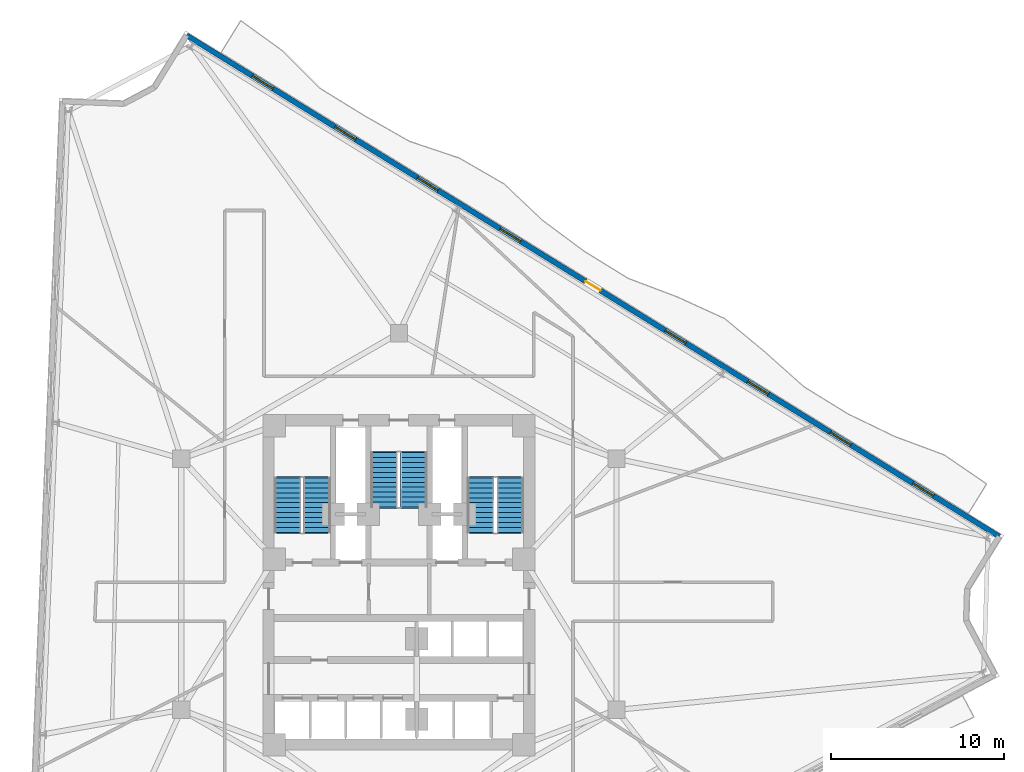
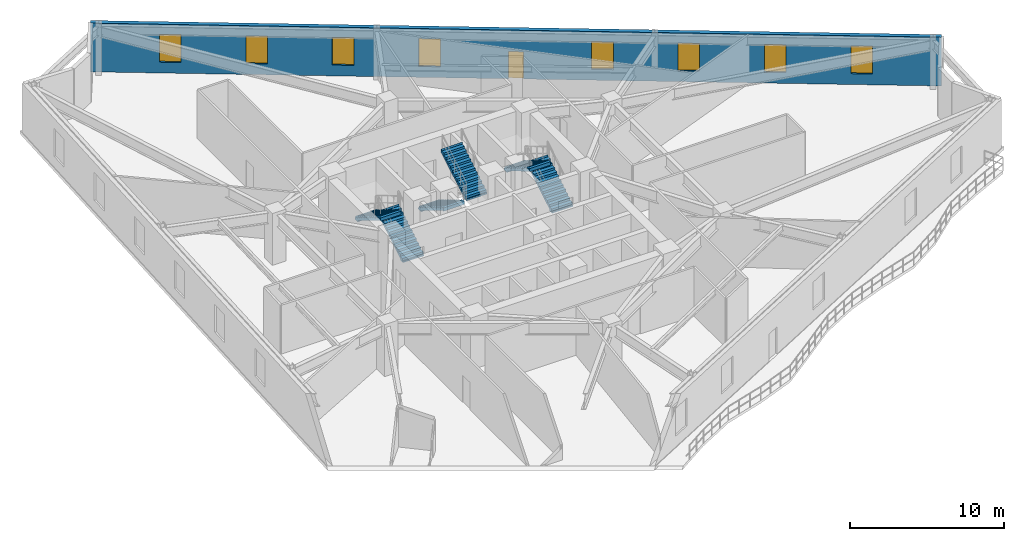
# One storey, part 8 of 11: 8 windows, 6 stair flights, 1 door, 1 wall, 9 openings, 3 elements without a shape of their own.
"""IFC4 building model written with IfcOpenShell, lengths in metres."""

from ifc_helpers import new_model, si_unit, direction, frame, frame_2d, origin, place, context, subcontext, project, spatial, polyline, rectangle, outline, extrude, material, layer, layer_set, type_object, element, fill, aggregate, save


model = new_model("IFC4")

# Units and contexts
model_context = context("Model", 3, precision=1e-05, world=origin(), true_north=direction((0.0, 1.0)))
body_context = subcontext(model_context, "Body", "Model", "MODEL_VIEW")
ifc_project = project(units=[si_unit("LENGTHUNIT", "METRE"), si_unit("AREAUNIT", "SQUARE_METRE"), si_unit("VOLUMEUNIT", "CUBIC_METRE"), si_unit("PLANEANGLEUNIT", "RADIAN"), si_unit("MASSUNIT", "GRAM", prefix="KILO")], contexts=[model_context])

# Site, building, storey
site_placement = place(None, origin())
site = spatial("IfcSite", under=ifc_project, at=site_placement, CompositionType="ELEMENT")
building_placement = place(site_placement, origin())
building = spatial("IfcBuilding", under=site, at=building_placement, Name="Apsidion Concourse Tower", CompositionType="ELEMENT")
storey_placement = place(building_placement, frame((0.0, 0.0, 186.0)))
storey = spatial("IfcBuildingStorey", under=building, at=storey_placement, Name="L43", CompositionType="ELEMENT", Elevation=186.0)

# Wall, openings, door, windows
ifc_material_1 = material(Name="Precast concrete C40/50", Category="concrete")
ifc_layer = layer(ifc_material_1, 0.300048828125)
ifc_layer_set = layer_set([ifc_layer], Name="Precast concrete C40/50")
wall_type = type_object("IfcWallType", Name="WL-EXT-300", PredefinedType="STANDARD", material=ifc_layer_set)
wall_placement = place(storey_placement, frame((-12.255126953125, 31.68896484375, 0.0), z_axis=(0.0, 0.0, 1.0), x_axis=(0.851166647402, -0.524895549944, 0.0)))
wall = element("IfcWall", 1, at=wall_placement, inside=storey, type_object=wall_type, Name="L43 Precast Stone Facade Wall 01", PredefinedType="STANDARD", context=body_context, shape_type="SweptSolid", body=[
    extrude(rectangle(XDim=55.110595703125, YDim=0.300048828125, at=frame_2d((27.55517578125, 0.0))), origin(), (0.0, 0.0, 1.0), 3.85009765625),
])
opening_1_placement = place(wall_placement, frame((27.055419921875, 0.0, 0.0)))
opening_1 = element("IfcOpeningElement", 2, at=opening_1_placement, cuts=wall, Name="Opening D-T1L", PredefinedType="OPENING", context=body_context, shape_type="SweptSolid", body=[
    extrude(rectangle(XDim=1.0, YDim=2.14990234375, at=frame_2d((0.5, 1.074951171875))), frame((0.0, 0.16015625, 0.0), z_axis=(0.0, -1.0, 0.0), x_axis=(1.0, 0.0, 0.0)), (0.0, 0.0, 1.0), 0.320068359375),
])
opening_2_placement = place(wall_placement, frame((4.455322265625, 0.0, 0.85009765625)))
opening_2 = element("IfcOpeningElement", 3, at=opening_2_placement, cuts=wall, Name="Opening WN-05", PredefinedType="OPENING", context=body_context, shape_type="SweptSolid", body=[
    extrude(rectangle(XDim=1.39990234375, YDim=2.199951171875, at=frame_2d((0.699951171875, 1.10009765625))), frame((0.0, 0.16015625, 0.0), z_axis=(0.0, -1.0, 0.0), x_axis=(1.0, 0.0, 0.0)), (0.0, 0.0, 1.0), 0.320068359375),
])
opening_3_placement = place(wall_placement, frame((10.055419921875, 0.0, 0.85009765625)))
opening_3 = element("IfcOpeningElement", 4, at=opening_3_placement, cuts=wall, Name="Opening WN-05", PredefinedType="OPENING", context=body_context, shape_type="SweptSolid", body=[
    extrude(rectangle(XDim=1.39990234375, YDim=2.199951171875, at=frame_2d((0.699951171875, 1.10009765625))), frame((0.0, 0.16015625, 0.0), z_axis=(0.0, -1.0, 0.0), x_axis=(1.0, 0.0, 0.0)), (0.0, 0.0, 1.0), 0.320068359375),
])
opening_4_placement = place(wall_placement, frame((15.6552734375, 0.0, 0.85009765625)))
opening_4 = element("IfcOpeningElement", 5, at=opening_4_placement, cuts=wall, Name="Opening WN-05", PredefinedType="OPENING", context=body_context, shape_type="SweptSolid", body=[
    extrude(rectangle(XDim=1.39990234375, YDim=2.199951171875, at=frame_2d((0.699951171875, 1.10009765625))), frame((0.0, 0.16015625, 0.0), z_axis=(0.0, -1.0, 0.0), x_axis=(1.0, 0.0, 0.0)), (0.0, 0.0, 1.0), 0.320068359375),
])
opening_5_placement = place(wall_placement, frame((21.25537109375, 0.0, 0.85009765625)))
opening_5 = element("IfcOpeningElement", 6, at=opening_5_placement, cuts=wall, Name="Opening WN-05", PredefinedType="OPENING", context=body_context, shape_type="SweptSolid", body=[
    extrude(rectangle(XDim=1.39990234375, YDim=2.199951171875, at=frame_2d((0.699951171875, 1.10009765625))), frame((0.0, 0.16015625, 0.0), z_axis=(0.0, -1.0, 0.0), x_axis=(1.0, 0.0, 0.0)), (0.0, 0.0, 1.0), 0.320068359375),
])
opening_6_placement = place(wall_placement, frame((32.455322265625, 0.0, 0.85009765625)))
opening_6 = element("IfcOpeningElement", 7, at=opening_6_placement, cuts=wall, Name="Opening WN-05", PredefinedType="OPENING", context=body_context, shape_type="SweptSolid", body=[
    extrude(rectangle(XDim=1.39990234375, YDim=2.199951171875, at=frame_2d((0.699951171875, 1.10009765625))), frame((0.0, 0.16015625, 0.0), z_axis=(0.0, -1.0, 0.0), x_axis=(1.0, 0.0, 0.0)), (0.0, 0.0, 1.0), 0.320068359375),
])
opening_7_placement = place(wall_placement, frame((38.055419921875, 0.0, 0.85009765625)))
opening_7 = element("IfcOpeningElement", 8, at=opening_7_placement, cuts=wall, Name="Opening WN-05", PredefinedType="OPENING", context=body_context, shape_type="SweptSolid", body=[
    extrude(rectangle(XDim=1.39990234375, YDim=2.199951171875, at=frame_2d((0.699951171875, 1.10009765625))), frame((0.0, 0.16015625, 0.0), z_axis=(0.0, -1.0, 0.0), x_axis=(1.0, 0.0, 0.0)), (0.0, 0.0, 1.0), 0.320068359375),
])
opening_8_placement = place(wall_placement, frame((43.6552734375, 0.0, 0.85009765625)))
opening_8 = element("IfcOpeningElement", 9, at=opening_8_placement, cuts=wall, Name="Opening WN-05", PredefinedType="OPENING", context=body_context, shape_type="SweptSolid", body=[
    extrude(rectangle(XDim=1.39990234375, YDim=2.199951171875, at=frame_2d((0.699951171875, 1.10009765625))), frame((0.0, 0.16015625, 0.0), z_axis=(0.0, -1.0, 0.0), x_axis=(1.0, 0.0, 0.0)), (0.0, 0.0, 1.0), 0.320068359375),
])
opening_9_placement = place(wall_placement, frame((49.25537109375, 0.0, 0.85009765625)))
opening_9 = element("IfcOpeningElement", 10, at=opening_9_placement, cuts=wall, Name="Opening WN-05", PredefinedType="OPENING", context=body_context, shape_type="SweptSolid", body=[
    extrude(rectangle(XDim=1.39990234375, YDim=2.199951171875, at=frame_2d((0.699951171875, 1.10009765625))), frame((0.0, 0.16015625, 0.0), z_axis=(0.0, -1.0, 0.0), x_axis=(1.0, 0.0, 0.0)), (0.0, 0.0, 1.0), 0.320068359375),
])
ifc_material_2 = material(Name="Anodised aluminium EN AW-6063 T6", Category="aluminium")
door_type = type_object("IfcDoorType", Name="DR-TER-1022L", OperationType="SINGLE_SWING_LEFT", PredefinedType="DOOR", material=ifc_material_2)
door_placement = place(opening_1_placement, origin())
door = element("IfcDoor", 11, at=door_placement, inside=storey, type_object=door_type, Name="L43 Balcony Access Door 2", OperationType="SINGLE_SWING_LEFT", OverallHeight=2.14990234375, OverallWidth=1.0, PredefinedType="DOOR", context=body_context, shape_type="SweptSolid", body=[
    extrude(rectangle(XDim=1.0, YDim=2.14990234375, at=frame_2d((0.5, 1.074951171875))), frame((0.0, 0.02490234375, 0.0), z_axis=(0.0, -1.0, 0.0), x_axis=(1.0, 0.0, 0.0)), (0.0, 0.0, 1.0), 0.050048828125),
])
fill(opening_1, door)
ifc_material_3 = material(Name="Insulated laminated low-E glass", Category="glass")
window_type = type_object("IfcWindowType", Name="WN-OFF-1424", PartitioningType="SINGLE_PANEL", PredefinedType="WINDOW", material=ifc_material_3)
window_1_placement = place(opening_2_placement, origin())
window_1 = element("IfcWindow", 12, at=window_1_placement, inside=storey, type_object=window_type, Name="L43 Punched Facade Window 1-01", OverallHeight=2.199951171875, OverallWidth=1.39990234375, PartitioningType="SINGLE_PANEL", PredefinedType="WINDOW", context=body_context, shape_type="SweptSolid", body=[
    extrude(rectangle(XDim=1.39990234375, YDim=2.199951171875, at=frame_2d((0.699951171875, 1.10009765625))), frame((0.0, 0.030029296875, 0.0), z_axis=(0.0, -1.0, 0.0), x_axis=(1.0, 0.0, 0.0)), (0.0, 0.0, 1.0), 0.06005859375),
])
fill(opening_2, window_1)
window_2_placement = place(opening_3_placement, origin())
window_2 = element("IfcWindow", 13, at=window_2_placement, inside=storey, type_object=window_type, Name="L43 Punched Facade Window 1-02", OverallHeight=2.199951171875, OverallWidth=1.39990234375, PartitioningType="SINGLE_PANEL", PredefinedType="WINDOW", context=body_context, shape_type="SweptSolid", body=[
    extrude(rectangle(XDim=1.39990234375, YDim=2.199951171875, at=frame_2d((0.699951171875, 1.10009765625))), frame((0.0, 0.030029296875, 0.0), z_axis=(0.0, -1.0, 0.0), x_axis=(1.0, 0.0, 0.0)), (0.0, 0.0, 1.0), 0.06005859375),
])
fill(opening_3, window_2)
window_3_placement = place(opening_4_placement, origin())
window_3 = element("IfcWindow", 14, at=window_3_placement, inside=storey, type_object=window_type, Name="L43 Punched Facade Window 1-03", OverallHeight=2.199951171875, OverallWidth=1.39990234375, PartitioningType="SINGLE_PANEL", PredefinedType="WINDOW", context=body_context, shape_type="SweptSolid", body=[
    extrude(rectangle(XDim=1.39990234375, YDim=2.199951171875, at=frame_2d((0.699951171875, 1.10009765625))), frame((0.0, 0.030029296875, 0.0), z_axis=(0.0, -1.0, 0.0), x_axis=(1.0, 0.0, 0.0)), (0.0, 0.0, 1.0), 0.06005859375),
])
fill(opening_4, window_3)
window_4_placement = place(opening_5_placement, origin())
window_4 = element("IfcWindow", 15, at=window_4_placement, inside=storey, type_object=window_type, Name="L43 Punched Facade Window 1-04", OverallHeight=2.199951171875, OverallWidth=1.39990234375, PartitioningType="SINGLE_PANEL", PredefinedType="WINDOW", context=body_context, shape_type="SweptSolid", body=[
    extrude(rectangle(XDim=1.39990234375, YDim=2.199951171875, at=frame_2d((0.699951171875, 1.10009765625))), frame((0.0, 0.030029296875, 0.0), z_axis=(0.0, -1.0, 0.0), x_axis=(1.0, 0.0, 0.0)), (0.0, 0.0, 1.0), 0.06005859375),
])
fill(opening_5, window_4)
window_5_placement = place(opening_6_placement, origin())
window_5 = element("IfcWindow", 16, at=window_5_placement, inside=storey, type_object=window_type, Name="L43 Punched Facade Window 1-06", OverallHeight=2.199951171875, OverallWidth=1.39990234375, PartitioningType="SINGLE_PANEL", PredefinedType="WINDOW", context=body_context, shape_type="SweptSolid", body=[
    extrude(rectangle(XDim=1.39990234375, YDim=2.199951171875, at=frame_2d((0.699951171875, 1.10009765625))), frame((0.0, 0.030029296875, 0.0), z_axis=(0.0, -1.0, 0.0), x_axis=(1.0, 0.0, 0.0)), (0.0, 0.0, 1.0), 0.06005859375),
])
fill(opening_6, window_5)
window_6_placement = place(opening_7_placement, origin())
window_6 = element("IfcWindow", 17, at=window_6_placement, inside=storey, type_object=window_type, Name="L43 Punched Facade Window 1-07", OverallHeight=2.199951171875, OverallWidth=1.39990234375, PartitioningType="SINGLE_PANEL", PredefinedType="WINDOW", context=body_context, shape_type="SweptSolid", body=[
    extrude(rectangle(XDim=1.39990234375, YDim=2.199951171875, at=frame_2d((0.699951171875, 1.10009765625))), frame((0.0, 0.030029296875, 0.0), z_axis=(0.0, -1.0, 0.0), x_axis=(1.0, 0.0, 0.0)), (0.0, 0.0, 1.0), 0.06005859375),
])
fill(opening_7, window_6)
window_7_placement = place(opening_8_placement, origin())
window_7 = element("IfcWindow", 18, at=window_7_placement, inside=storey, type_object=window_type, Name="L43 Punched Facade Window 1-08", OverallHeight=2.199951171875, OverallWidth=1.39990234375, PartitioningType="SINGLE_PANEL", PredefinedType="WINDOW", context=body_context, shape_type="SweptSolid", body=[
    extrude(rectangle(XDim=1.39990234375, YDim=2.199951171875, at=frame_2d((0.699951171875, 1.10009765625))), frame((0.0, 0.030029296875, 0.0), z_axis=(0.0, -1.0, 0.0), x_axis=(1.0, 0.0, 0.0)), (0.0, 0.0, 1.0), 0.06005859375),
])
fill(opening_8, window_7)
window_8_placement = place(opening_9_placement, origin())
window_8 = element("IfcWindow", 19, at=window_8_placement, inside=storey, type_object=window_type, Name="L43 Punched Facade Window 1-09", OverallHeight=2.199951171875, OverallWidth=1.39990234375, PartitioningType="SINGLE_PANEL", PredefinedType="WINDOW", context=body_context, shape_type="SweptSolid", body=[
    extrude(rectangle(XDim=1.39990234375, YDim=2.199951171875, at=frame_2d((0.699951171875, 1.10009765625))), frame((0.0, 0.030029296875, 0.0), z_axis=(0.0, -1.0, 0.0), x_axis=(1.0, 0.0, 0.0)), (0.0, 0.0, 1.0), 0.06005859375),
])
fill(opening_9, window_8)

# Stair, stair flights
stair_type = type_object("IfcStairType", Name="ST-DL-1550", PredefinedType="HALF_TURN_STAIR", material=ifc_material_1)
stair_1_placement = place(storey_placement, origin())
stair_1 = element("IfcStair", 20, at=stair_1_placement, inside=storey, type_object=stair_type, Name="L43 Protected Core Exit Stair ST1", PredefinedType="HALF_TURN_STAIR")
stair_flight_type = type_object("IfcStairFlightType", Name="SFL-RC-1550", PredefinedType="STRAIGHT", material=ifc_material_1)
stair_flight_1_placement = place(storey_placement, frame((-4.72509765625, 3.0, 0.0), z_axis=(0.0, 0.0, 1.0), x_axis=(0.0, 1.0, 0.0)))
stair_flight_1 = element("IfcStairFlight", 21, at=stair_flight_1_placement, type_object=stair_flight_type, Name="ST1 flight 1", NumberOfRisers=12, NumberOfTreads=11, PredefinedType="STRAIGHT", RiserHeight=0.170833333, TreadLength=0.285, context=body_context, shape_type="SweptSolid", body=[
    extrude(outline(polyline([(-0.080078125, -0.1123046875), (-0.080078125, 0.0), (0.0, 0.0), (0.0, 0.1708984375), (0.284912109375, 0.1708984375), (0.284912109375, 0.341552734375), (0.570068359375, 0.341552734375), (0.570068359375, 0.512451171875), (0.85498046875, 0.512451171875), (0.85498046875, 0.683349609375), (1.139892578125, 0.683349609375), (1.139892578125, 0.854248046875), (1.425048828125, 0.854248046875), (1.425048828125, 1.02490234375), (1.7099609375, 1.02490234375), (1.7099609375, 1.19580078125), (1.9951171875, 1.19580078125), (1.9951171875, 1.36669921875), (2.280029296875, 1.36669921875), (2.280029296875, 1.53759765625), (2.56494140625, 1.53759765625), (2.56494140625, 1.708251953125), (2.85009765625, 1.708251953125), (2.85009765625, 1.879150390625), (3.135009765625, 1.879150390625), (3.135009765625, 2.050048828125), (3.215087890625, 1.964599609375), (3.215087890625, 1.704345703125), (3.135009765625, 1.704345703125), (0.29150390625, 0.0), (0.29150390625, -0.1123046875), (-0.080078125, -0.1123046875)])), frame((0.0, 0.77490234375, 0.0), z_axis=(0.0, -1.0, 0.0), x_axis=(1.0, 0.0, 0.0)), (0.0, 0.0, 1.0), 1.550048828125),
])
stair_flight_2_placement = place(storey_placement, frame((-6.425048828125, 6.135009765625, 2.050048828125), z_axis=(0.0, 0.0, 1.0), x_axis=(0.0, -1.0, 0.0)))
stair_flight_2 = element("IfcStairFlight", 22, at=stair_flight_2_placement, type_object=stair_flight_type, Name="ST1 flight 2", NumberOfRisers=12, NumberOfTreads=11, PredefinedType="STRAIGHT", RiserHeight=0.170833333, TreadLength=0.285, context=body_context, shape_type="SweptSolid", body=[
    extrude(outline(polyline([(-0.080078125, -0.1123046875), (-0.080078125, 0.0), (0.0, 0.0), (0.0, 0.1708984375), (0.284912109375, 0.1708984375), (0.284912109375, 0.341552734375), (0.570068359375, 0.341552734375), (0.570068359375, 0.512451171875), (0.85498046875, 0.512451171875), (0.85498046875, 0.683349609375), (1.139892578125, 0.683349609375), (1.139892578125, 0.854248046875), (1.425048828125, 0.854248046875), (1.425048828125, 1.02490234375), (1.7099609375, 1.02490234375), (1.7099609375, 1.19580078125), (1.9951171875, 1.19580078125), (1.9951171875, 1.36669921875), (2.280029296875, 1.36669921875), (2.280029296875, 1.53759765625), (2.56494140625, 1.53759765625), (2.56494140625, 1.708251953125), (2.85009765625, 1.708251953125), (2.85009765625, 1.879150390625), (3.135009765625, 1.879150390625), (3.135009765625, 2.050048828125), (3.215087890625, 1.964599609375), (3.215087890625, 1.704345703125), (3.135009765625, 1.704345703125), (0.29150390625, 0.0), (0.29150390625, -0.1123046875), (-0.080078125, -0.1123046875)])), frame((0.0, 0.77490234375, 0.0), z_axis=(0.0, -1.0, 0.0), x_axis=(1.0, 0.0, 0.0)), (0.0, 0.0, 1.0), 1.550048828125),
])
aggregate(stair_1, [stair_flight_1, stair_flight_2])

stair_2_placement = place(storey_placement, origin())
stair_2 = element("IfcStair", 23, at=stair_2_placement, inside=storey, type_object=stair_type, Name="L43 Protected Core Exit Stair ST2", PredefinedType="HALF_TURN_STAIR")
stair_flight_3_placement = place(storey_placement, frame((6.425048828125, 3.0, 0.0), z_axis=(0.0, 0.0, 1.0), x_axis=(0.0, 1.0, 0.0)))
stair_flight_3 = element("IfcStairFlight", 24, at=stair_flight_3_placement, type_object=stair_flight_type, Name="ST2 flight 1", NumberOfRisers=12, NumberOfTreads=11, PredefinedType="STRAIGHT", RiserHeight=0.170833333, TreadLength=0.285, context=body_context, shape_type="SweptSolid", body=[
    extrude(outline(polyline([(-0.080078125, -0.1123046875), (-0.080078125, 0.0), (0.0, 0.0), (0.0, 0.1708984375), (0.284912109375, 0.1708984375), (0.284912109375, 0.341552734375), (0.570068359375, 0.341552734375), (0.570068359375, 0.512451171875), (0.85498046875, 0.512451171875), (0.85498046875, 0.683349609375), (1.139892578125, 0.683349609375), (1.139892578125, 0.854248046875), (1.425048828125, 0.854248046875), (1.425048828125, 1.02490234375), (1.7099609375, 1.02490234375), (1.7099609375, 1.19580078125), (1.9951171875, 1.19580078125), (1.9951171875, 1.36669921875), (2.280029296875, 1.36669921875), (2.280029296875, 1.53759765625), (2.56494140625, 1.53759765625), (2.56494140625, 1.708251953125), (2.85009765625, 1.708251953125), (2.85009765625, 1.879150390625), (3.135009765625, 1.879150390625), (3.135009765625, 2.050048828125), (3.215087890625, 1.964599609375), (3.215087890625, 1.704345703125), (3.135009765625, 1.704345703125), (0.29150390625, 0.0), (0.29150390625, -0.1123046875), (-0.080078125, -0.1123046875)])), frame((0.0, 0.77490234375, 0.0), z_axis=(0.0, -1.0, 0.0), x_axis=(1.0, 0.0, 0.0)), (0.0, 0.0, 1.0), 1.550048828125),
])
stair_flight_4_placement = place(storey_placement, frame((4.72509765625, 6.135009765625, 2.050048828125), z_axis=(0.0, 0.0, 1.0), x_axis=(0.0, -1.0, 0.0)))
stair_flight_4 = element("IfcStairFlight", 25, at=stair_flight_4_placement, type_object=stair_flight_type, Name="ST2 flight 2", NumberOfRisers=12, NumberOfTreads=11, PredefinedType="STRAIGHT", RiserHeight=0.170833333, TreadLength=0.285, context=body_context, shape_type="SweptSolid", body=[
    extrude(outline(polyline([(-0.080078125, -0.1123046875), (-0.080078125, 0.0), (0.0, 0.0), (0.0, 0.1708984375), (0.284912109375, 0.1708984375), (0.284912109375, 0.341552734375), (0.570068359375, 0.341552734375), (0.570068359375, 0.512451171875), (0.85498046875, 0.512451171875), (0.85498046875, 0.683349609375), (1.139892578125, 0.683349609375), (1.139892578125, 0.854248046875), (1.425048828125, 0.854248046875), (1.425048828125, 1.02490234375), (1.7099609375, 1.02490234375), (1.7099609375, 1.19580078125), (1.9951171875, 1.19580078125), (1.9951171875, 1.36669921875), (2.280029296875, 1.36669921875), (2.280029296875, 1.53759765625), (2.56494140625, 1.53759765625), (2.56494140625, 1.708251953125), (2.85009765625, 1.708251953125), (2.85009765625, 1.879150390625), (3.135009765625, 1.879150390625), (3.135009765625, 2.050048828125), (3.215087890625, 1.964599609375), (3.215087890625, 1.704345703125), (3.135009765625, 1.704345703125), (0.29150390625, 0.0), (0.29150390625, -0.1123046875), (-0.080078125, -0.1123046875)])), frame((0.0, 0.77490234375, 0.0), z_axis=(0.0, -1.0, 0.0), x_axis=(1.0, 0.0, 0.0)), (0.0, 0.0, 1.0), 1.550048828125),
])
aggregate(stair_2, [stair_flight_3, stair_flight_4])

stair_3_placement = place(storey_placement, origin())
stair_3 = element("IfcStair", 26, at=stair_3_placement, inside=storey, type_object=stair_type, Name="L43 Protected Core Exit Stair ST3", PredefinedType="HALF_TURN_STAIR")
stair_flight_5_placement = place(storey_placement, frame((-0.85009765625, 7.60009765625, 0.0), z_axis=(0.0, 0.0, 1.0), x_axis=(0.0, -1.0, 0.0)))
stair_flight_5 = element("IfcStairFlight", 27, at=stair_flight_5_placement, type_object=stair_flight_type, Name="ST3 flight 1", NumberOfRisers=12, NumberOfTreads=11, PredefinedType="STRAIGHT", RiserHeight=0.170833333, TreadLength=0.285, context=body_context, shape_type="SweptSolid", body=[
    extrude(outline(polyline([(-0.080078125, -0.1123046875), (-0.080078125, 0.0), (0.0, 0.0), (0.0, 0.1708984375), (0.284912109375, 0.1708984375), (0.284912109375, 0.341552734375), (0.570068359375, 0.341552734375), (0.570068359375, 0.512451171875), (0.85498046875, 0.512451171875), (0.85498046875, 0.683349609375), (1.139892578125, 0.683349609375), (1.139892578125, 0.854248046875), (1.425048828125, 0.854248046875), (1.425048828125, 1.02490234375), (1.7099609375, 1.02490234375), (1.7099609375, 1.19580078125), (1.9951171875, 1.19580078125), (1.9951171875, 1.36669921875), (2.280029296875, 1.36669921875), (2.280029296875, 1.53759765625), (2.56494140625, 1.53759765625), (2.56494140625, 1.708251953125), (2.85009765625, 1.708251953125), (2.85009765625, 1.879150390625), (3.135009765625, 1.879150390625), (3.135009765625, 2.050048828125), (3.215087890625, 1.964599609375), (3.215087890625, 1.704345703125), (3.135009765625, 1.704345703125), (0.29150390625, 0.0), (0.29150390625, -0.1123046875), (-0.080078125, -0.1123046875)])), frame((0.0, 0.77490234375, 0.0), z_axis=(0.0, -1.0, 0.0), x_axis=(1.0, 0.0, 0.0)), (0.0, 0.0, 1.0), 1.550048828125),
])
stair_flight_6_placement = place(storey_placement, frame((0.85009765625, 4.465087890625, 2.050048828125), z_axis=(0.0, 0.0, 1.0), x_axis=(0.0, 1.0, 0.0)))
stair_flight_6 = element("IfcStairFlight", 28, at=stair_flight_6_placement, type_object=stair_flight_type, Name="ST3 flight 2", NumberOfRisers=12, NumberOfTreads=11, PredefinedType="STRAIGHT", RiserHeight=0.170833333, TreadLength=0.285, context=body_context, shape_type="SweptSolid", body=[
    extrude(outline(polyline([(-0.080078125, -0.1123046875), (-0.080078125, 0.0), (0.0, 0.0), (0.0, 0.1708984375), (0.284912109375, 0.1708984375), (0.284912109375, 0.341552734375), (0.570068359375, 0.341552734375), (0.570068359375, 0.512451171875), (0.85498046875, 0.512451171875), (0.85498046875, 0.683349609375), (1.139892578125, 0.683349609375), (1.139892578125, 0.854248046875), (1.425048828125, 0.854248046875), (1.425048828125, 1.02490234375), (1.7099609375, 1.02490234375), (1.7099609375, 1.19580078125), (1.9951171875, 1.19580078125), (1.9951171875, 1.36669921875), (2.280029296875, 1.36669921875), (2.280029296875, 1.53759765625), (2.56494140625, 1.53759765625), (2.56494140625, 1.708251953125), (2.85009765625, 1.708251953125), (2.85009765625, 1.879150390625), (3.135009765625, 1.879150390625), (3.135009765625, 2.050048828125), (3.215087890625, 1.964599609375), (3.215087890625, 1.704345703125), (3.135009765625, 1.704345703125), (0.29150390625, 0.0), (0.29150390625, -0.1123046875), (-0.080078125, -0.1123046875)])), frame((0.0, 0.77490234375, 0.0), z_axis=(0.0, -1.0, 0.0), x_axis=(1.0, 0.0, 0.0)), (0.0, 0.0, 1.0), 1.550048828125),
])
aggregate(stair_3, [stair_flight_5, stair_flight_6])

save(model, "model.ifc")
